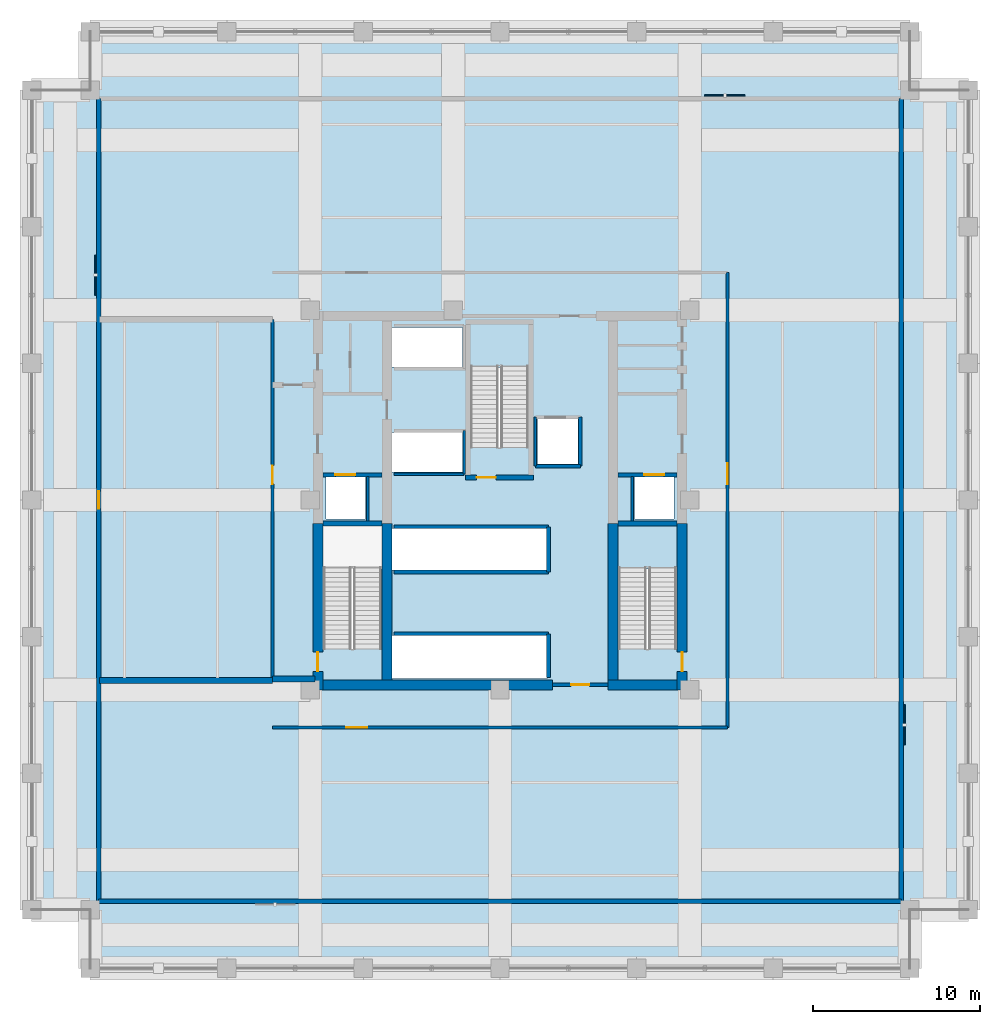
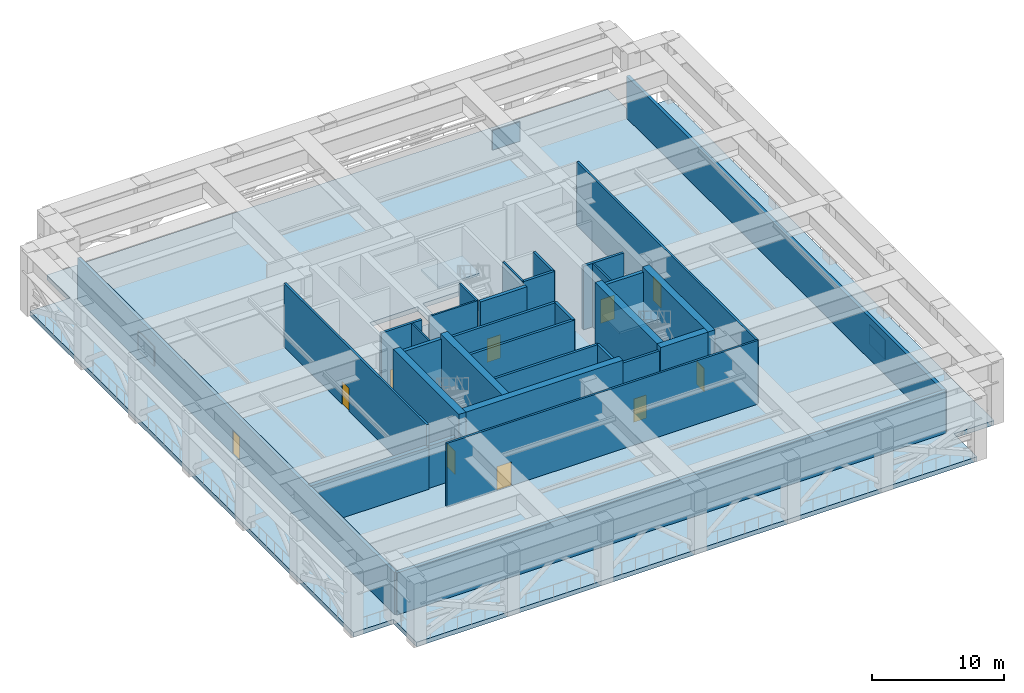
# One storey, part 3 of 12: 32 walls, 10 doors, 3 plates, 3 slabs, 10 openings, 2 elements without a shape of their own.
"""IFC4 building model written with IfcOpenShell, lengths in metres."""

from ifc_helpers import new_model, si_unit, direction, frame, frame_2d, origin, origin_2d, place, context, subcontext, project, spatial, polyline, rectangle, outline, extrude, material, layer, layer_set, type_object, element, fill, aggregate, save


model = new_model("IFC4")

# Units and contexts
model_context = context("Model", 3, precision=1e-05, world=origin(), true_north=direction((0.0, 1.0)))
body_context = subcontext(model_context, "Body", "Model", "MODEL_VIEW")
ifc_project = project(units=[si_unit("LENGTHUNIT", "METRE"), si_unit("AREAUNIT", "SQUARE_METRE"), si_unit("VOLUMEUNIT", "CUBIC_METRE"), si_unit("PLANEANGLEUNIT", "RADIAN"), si_unit("MASSUNIT", "GRAM", prefix="KILO")], contexts=[model_context])

# Site, building, storey
site_placement = place(None, origin())
site = spatial("IfcSite", under=ifc_project, at=site_placement, CompositionType="ELEMENT")
building_placement = place(site_placement, origin())
building = spatial("IfcBuilding", under=site, at=building_placement, Name="Nhamokura Convention Tower", CompositionType="ELEMENT")
storey_placement = place(building_placement, frame((0.0, 0.0, 99.75)))
storey = spatial("IfcBuildingStorey", under=building, at=storey_placement, Name="L24", CompositionType="ELEMENT", Elevation=99.75)

# Plates
ifc_material_1 = material(Name="Anodised bronze aluminium AA6063-T6", Category="aluminium")
ifc_layer_1 = layer(ifc_material_1, 0.0849609375)
ifc_layer_set_1 = layer_set([ifc_layer_1], Name="AcousticLouvrePlate_1")
plate_type = type_object("IfcPlateType", Name="AcousticLouvrePlate_1", PredefinedType="USERDEFINED", material=ifc_layer_set_1)
for number, where, z_axis, x_axis, name in (
    (1, (56.1826171875, 18.56005859375, 1.0), (0.0, 0.0, 1.0), (0.0, -1.0, 0.0), "L24 Plant Acoustic Louvre E"),
    (2, (45.43994140625, 56.1826171875, 1.0), (0.0, 0.0, 1.0), (1.0, 0.0, 0.0), "L24 Plant Acoustic Louvre N"),
    (3, (7.8173828125, 45.43994140625, 1.0), (0.0, 0.0, 1.0), (0.0, 1.0, 0.0), "L24 Plant Acoustic Louvre W"),
):
    element("IfcPlate", number, at=place(storey_placement, frame(where, z_axis=z_axis, x_axis=x_axis)), inside=storey, type_object=plate_type, Name=name, ObjectType="ACOUSTIC_LOUVRE", PredefinedType="USERDEFINED", context=body_context, shape_type="SweptSolid", body=[
        extrude(rectangle(XDim=2.39990234375, YDim=0.0849609375, at=origin_2d()), origin(), (0.0, 0.0, 1.0), 1.800048828125),
    ])

# Stair, slab
ifc_material_2 = material(Name="Concrete C40/50", Category="concrete")
stair_type = type_object("IfcStairType", Name="TowerCoreStair_1650", PredefinedType="HALF_TURN_STAIR", material=ifc_material_2)
stair_1_placement = place(storey_placement, origin())
stair_1 = element("IfcStair", 4, at=stair_1_placement, inside=storey, type_object=stair_type, Name="L24 East Core Smokeproof Stair ST-02", PredefinedType="HALF_TURN_STAIR")
ifc_material_3 = material(Name="Concrete C40/50", Category="concrete")
ifc_layer_2 = layer(ifc_material_3, 0.199951171875)
ifc_layer_set_2 = layer_set([ifc_layer_2], Name="StairLandingSlab_200")
slab_type_1 = type_object("IfcSlabType", Name="StairLandingSlab_200", PredefinedType="LANDING", material=ifc_layer_set_2)
slab_1_placement = place(storey_placement, frame((0.0, 0.0, 2.949951171875)))
slab_1 = element("IfcSlab", 5, at=slab_1_placement, type_object=slab_type_1, Name="ST-02 landing 1", PredefinedType="LANDING", context=body_context, shape_type="SweptSolid", body=[
    extrude(outline(polyline([(42.6298828125, 27.864990234375), (42.6298828125, 30.530029296875), (39.02001953125, 30.530029296875), (39.02001953125, 27.864990234375), (42.6298828125, 27.864990234375)])), origin(), (0.0, 0.0, 1.0), 0.199951171875),
])
aggregate(stair_1, [slab_1])

stair_2_placement = place(storey_placement, origin())
stair_2 = element("IfcStair", 6, at=stair_2_placement, inside=storey, type_object=stair_type, Name="L24 North Core Smokeproof Stair ST-03", PredefinedType="HALF_TURN_STAIR")
slab_2_placement = place(storey_placement, frame((0.0, 0.0, 2.949951171875)))
slab_2 = element("IfcSlab", 7, at=slab_2_placement, type_object=slab_type_1, Name="ST-03 landing 1", PredefinedType="LANDING", context=body_context, shape_type="SweptSolid", body=[
    extrude(outline(polyline([(33.780029296875, 39.9150390625), (33.780029296875, 42.580078125), (30.169921875, 42.580078125), (30.169921875, 39.9150390625), (33.780029296875, 39.9150390625)])), origin(), (0.0, 0.0, 1.0), 0.199951171875),
])
aggregate(stair_2, [slab_2])

# Slab
ifc_material_4 = material(Name="Concrete C50/60", Category="concrete")
ifc_layer_3 = layer(ifc_material_4, 0.419921875)
ifc_layer_set_3 = layer_set([ifc_layer_3], Name="TransferDeckSlab_380")
slab_type_2 = type_object("IfcSlabType", Name="TransferDeckSlab_380", PredefinedType="FLOOR", material=ifc_layer_set_3)
slab_3_placement = place(storey_placement, frame((0.0, 0.0, -0.419921875)))
element("IfcSlab", 8, at=slab_3_placement, inside=storey, type_object=slab_type_2, Name="L24 Structural Floor Slab", PredefinedType="FLOOR", context=body_context, shape_type="SweptSolid", body=[
    extrude(outline(polyline([(7.5, 4.0), (56.5, 4.0), (56.5, 7.5), (60.0, 7.5), (60.0, 56.5), (56.5, 56.5), (56.5, 60.0), (7.5, 60.0), (7.5, 56.5), (4.0, 56.5), (4.0, 7.5), (7.5, 7.5), (7.5, 4.0)]), holes=[polyline([(24.89990234375, 23.10009765625), (24.89990234375, 30.449951171875), (21.449951171875, 30.449951171875), (21.449951171875, 23.10009765625), (24.89990234375, 23.10009765625)]), polyline([(42.550048828125, 23.10009765625), (42.550048828125, 30.449951171875), (39.10009765625, 30.449951171875), (39.10009765625, 23.10009765625), (42.550048828125, 23.10009765625)]), polyline([(33.699951171875, 35.14990234375), (33.699951171875, 42.5), (30.25, 42.5), (30.25, 35.14990234375), (33.699951171875, 35.14990234375)]), polyline([(21.60009765625, 30.85009765625), (23.949951171875, 30.85009765625), (23.949951171875, 33.39990234375), (21.60009765625, 33.39990234375), (21.60009765625, 30.85009765625)]), polyline([(40.050048828125, 30.85009765625), (42.39990234375, 30.85009765625), (42.39990234375, 33.39990234375), (40.050048828125, 33.39990234375), (40.050048828125, 30.85009765625)]), polyline([(34.25, 34.14990234375), (36.64990234375, 34.14990234375), (36.64990234375, 36.85009765625), (34.25, 36.85009765625), (34.25, 34.14990234375)]), polyline([(25.52001953125, 21.320068359375), (34.800048828125, 21.320068359375), (34.800048828125, 23.89990234375), (25.52001953125, 23.89990234375), (25.52001953125, 21.320068359375)]), polyline([(25.52001953125, 27.800048828125), (34.800048828125, 27.800048828125), (34.800048828125, 30.300048828125), (25.52001953125, 30.300048828125), (25.52001953125, 27.800048828125)]), polyline([(25.52001953125, 33.679931640625), (29.75, 33.679931640625), (29.75, 36.050048828125), (25.52001953125, 36.050048828125), (25.52001953125, 33.679931640625)]), polyline([(25.52001953125, 39.949951171875), (29.75, 39.949951171875), (29.75, 42.320068359375), (25.52001953125, 42.320068359375), (25.52001953125, 39.949951171875)])]), origin(), (0.0, 0.0, 1.0), 0.419921875),
])

# Walls
ifc_material_5 = material(Name="Bronze-pigmented precast concrete C45/55", Category="concrete")
ifc_layer_4 = layer(ifc_material_5, 0.280029296875)
ifc_layer_set_4 = layer_set([ifc_layer_4], Name="BronzePrecastSpandrel_280")
wall_type_1 = type_object("IfcWallType", Name="BronzePrecastSpandrel_280", PredefinedType="USERDEFINED", material=ifc_layer_set_4)
for number, where, z_axis, x_axis, name in (
    (9, (56.0, 8.0, 0.0), (0.0, 0.0, 1.0), (-1.0, 0.0, 0.0), "L24 Refuge Deck Enclosure Wall S"),
    (10, (56.0, 56.0, 0.0), (0.0, 0.0, 1.0), (0.0, -1.0, 0.0), "L24 Refuge Deck Enclosure Wall E"),
):
    element("IfcWall", number, at=place(storey_placement, frame(where, z_axis=z_axis, x_axis=x_axis)), inside=storey, type_object=wall_type_1, Name=name, ObjectType="SPANDREL_WALL", PredefinedType="USERDEFINED", context=body_context, shape_type="SweptSolid", body=[
        extrude(rectangle(XDim=48.0, YDim=0.280029296875, at=frame_2d((24.0, 0.0))), origin(), (0.0, 0.0, 1.0), 3.8798828125),
    ])

# Wall, opening, door
wall_1_placement = place(storey_placement, frame((8.0, 8.0, 0.0), z_axis=(0.0, 0.0, 1.0), x_axis=(0.0, 1.0, 0.0)))
wall_1 = element("IfcWall", 11, at=wall_1_placement, inside=storey, type_object=wall_type_1, Name="L24 Refuge Deck Enclosure Wall W", ObjectType="SPANDREL_WALL", PredefinedType="USERDEFINED", context=body_context, shape_type="SweptSolid", body=[
    extrude(rectangle(XDim=48.0, YDim=0.280029296875, at=frame_2d((24.0, 0.0))), origin(), (0.0, 0.0, 1.0), 3.8798828125),
])
opening_1_placement = place(wall_1_placement, frame((23.47509765625, 0.0, 0.0)))
opening_1 = element("IfcOpeningElement", 12, at=opening_1_placement, cuts=wall_1, Name="Opening D-06", PredefinedType="OPENING", context=body_context, shape_type="SweptSolid", body=[
    extrude(rectangle(XDim=1.050048828125, YDim=2.199951171875, at=frame_2d((0.52490234375, 1.10009765625))), frame((0.0, 0.14990234375, 0.0), z_axis=(0.0, -1.0, 0.0), x_axis=(1.0, 0.0, 0.0)), (0.0, 0.0, 1.0), 0.300048828125),
])
ifc_material_6 = material(Name="Anodised bronze aluminium AA6063-T6", Category="aluminium")
door_type_1 = type_object("IfcDoorType", Name="TerraceAccessDoor_1050", OperationType="NOTDEFINED", PredefinedType="DOOR", material=ifc_material_6)
door_1_placement = place(opening_1_placement, origin())
door_1 = element("IfcDoor", 13, at=door_1_placement, inside=storey, type_object=door_type_1, Name="L24 Refuge Deck Access Door W", OperationType="SINGLE_SWING_RIGHT", OverallHeight=2.199951171875, OverallWidth=1.050048828125, PredefinedType="DOOR", context=body_context, shape_type="SweptSolid", body=[
    extrude(rectangle(XDim=1.050048828125, YDim=2.199951171875, at=frame_2d((0.52490234375, 1.10009765625))), frame((0.0, 0.02490234375, 0.0), z_axis=(0.0, -1.0, 0.0), x_axis=(1.0, 0.0, 0.0)), (0.0, 0.0, 1.0), 0.050048828125),
])
fill(opening_1, door_1)

ifc_material_7 = material(Name="Concrete C60/75", Category="concrete")
ifc_layer_5 = layer(ifc_material_7, 0.60009765625)
ifc_layer_set_5 = layer_set([ifc_layer_5], Name="CoreShearWall_600")
wall_type_2 = type_object("IfcWallType", Name="CoreShearWall_600", PredefinedType="SHEAR", material=ifc_layer_set_5)
wall_2_placement = place(storey_placement, frame((21.110107421875, 20.64990234375, 0.0), z_axis=(0.0, 0.0, 1.0), x_axis=(0.0, 1.0, 0.0)))
wall_2 = element("IfcWall", 14, at=wall_2_placement, inside=storey, type_object=wall_type_2, Name="L24 Core Shear Wall CW-WS", PredefinedType="SHEAR", context=body_context, shape_type="SweptSolid", body=[
    extrude(rectangle(XDim=9.9501953125, YDim=0.60009765625, at=frame_2d((4.97509765625, 0.0))), origin(), (0.0, 0.0, 1.0), 6.300048828125),
])
opening_2_placement = place(wall_2_placement, frame((1.10009765625, 0.0, 0.0)))
opening_2 = element("IfcOpeningElement", 15, at=opening_2_placement, cuts=wall_2, Name="Opening D-04", PredefinedType="OPENING", context=body_context, shape_type="SweptSolid", body=[
    extrude(rectangle(XDim=1.14990234375, YDim=2.14990234375, at=frame_2d((0.574951171875, 1.074951171875))), frame((0.0, 0.31005859375, 0.0), z_axis=(0.0, -1.0, 0.0), x_axis=(1.0, 0.0, 0.0)), (0.0, 0.0, 1.0), 0.6201171875),
])
ifc_material_8 = material(Name="Fire-rated steel door", Category="steel")
door_type_2 = type_object("IfcDoorType", Name="StairSmokeDoor_1150", OperationType="NOTDEFINED", PredefinedType="DOOR", material=ifc_material_8)
door_2_placement = place(opening_2_placement, origin())
door_2 = element("IfcDoor", 16, at=door_2_placement, inside=storey, type_object=door_type_2, Name="L24 Core Door INT-L24-D-ST01", OperationType="SINGLE_SWING_LEFT", OverallHeight=2.14990234375, OverallWidth=1.14990234375, PredefinedType="DOOR", context=body_context, shape_type="SweptSolid", body=[
    extrude(rectangle(XDim=1.14990234375, YDim=2.14990234375, at=frame_2d((0.574951171875, 1.074951171875))), frame((0.0, 0.02490234375, 0.0), z_axis=(0.0, -1.0, 0.0), x_axis=(1.0, 0.0, 0.0)), (0.0, 0.0, 1.0), 0.050048828125),
])
fill(opening_2, door_2)

wall_3_placement = place(storey_placement, frame((42.889892578125, 20.64990234375, 0.0), z_axis=(0.0, 0.0, 1.0), x_axis=(0.0, 1.0, 0.0)))
wall_3 = element("IfcWall", 17, at=wall_3_placement, inside=storey, type_object=wall_type_2, Name="L24 Core Shear Wall CW-ES", PredefinedType="SHEAR", context=body_context, shape_type="SweptSolid", body=[
    extrude(rectangle(XDim=9.9501953125, YDim=0.60009765625, at=frame_2d((4.97509765625, 0.0))), origin(), (0.0, 0.0, 1.0), 6.300048828125),
])
opening_3_placement = place(wall_3_placement, frame((1.10009765625, 0.0, 0.0)))
opening_3 = element("IfcOpeningElement", 18, at=opening_3_placement, cuts=wall_3, Name="Opening D-04", PredefinedType="OPENING", context=body_context, shape_type="SweptSolid", body=[
    extrude(rectangle(XDim=1.14990234375, YDim=2.14990234375, at=frame_2d((0.574951171875, 1.074951171875))), frame((0.0, 0.31005859375, 0.0), z_axis=(0.0, -1.0, 0.0), x_axis=(1.0, 0.0, 0.0)), (0.0, 0.0, 1.0), 0.6201171875),
])
door_3_placement = place(opening_3_placement, origin())
door_3 = element("IfcDoor", 19, at=door_3_placement, inside=storey, type_object=door_type_2, Name="L24 Core Door INT-L24-D-ST02", OperationType="SINGLE_SWING_RIGHT", OverallHeight=2.14990234375, OverallWidth=1.14990234375, PredefinedType="DOOR", context=body_context, shape_type="SweptSolid", body=[
    extrude(rectangle(XDim=1.14990234375, YDim=2.14990234375, at=frame_2d((0.574951171875, 1.074951171875))), frame((0.0, 0.02490234375, 0.0), z_axis=(0.0, -1.0, 0.0), x_axis=(1.0, 0.0, 0.0)), (0.0, 0.0, 1.0), 0.050048828125),
])
fill(opening_3, door_3)

# Walls
wall_4_placement = place(storey_placement, frame((21.409912109375, 20.949951171875, 0.0), z_axis=(0.0, 0.0, 1.0), x_axis=(1.0, 0.0, 0.0)))
element("IfcWall", 20, at=wall_4_placement, inside=storey, type_object=wall_type_2, Name="L24 Core Shear Wall CW-S1", PredefinedType="SHEAR", context=body_context, shape_type="SweptSolid", body=[
    extrude(rectangle(XDim=13.739990234375, YDim=0.60009765625, at=frame_2d((6.8701171875, 0.0))), origin(), (0.0, 0.0, 1.0), 6.300048828125),
])
wall_5_placement = place(storey_placement, frame((38.449951171875, 20.949951171875, 0.0), z_axis=(0.0, 0.0, 1.0), x_axis=(1.0, 0.0, 0.0)))
element("IfcWall", 21, at=wall_5_placement, inside=storey, type_object=wall_type_2, Name="L24 Core Shear Wall CW-S2", PredefinedType="SHEAR", context=body_context, shape_type="SweptSolid", body=[
    extrude(rectangle(XDim=4.14013671875, YDim=0.60009765625, at=frame_2d((2.070068359375, 0.0))), origin(), (0.0, 0.0, 1.0), 6.300048828125),
])
for number, where, z_axis, x_axis, name in (
    (22, (25.239990234375, 21.25, 0.0), (0.0, 0.0, 1.0), (0.0, 1.0, 0.0), "L24 Core Shear Wall CW-IWS"),
    (23, (38.760009765625, 21.25, 0.0), (0.0, 0.0, 1.0), (0.0, 1.0, 0.0), "L24 Core Shear Wall CW-IES"),
):
    element("IfcWall", number, at=place(storey_placement, frame(where, z_axis=z_axis, x_axis=x_axis)), inside=storey, type_object=wall_type_2, Name=name, PredefinedType="SHEAR", context=body_context, shape_type="SweptSolid", body=[
        extrude(rectangle(XDim=9.35009765625, YDim=0.60009765625, at=frame_2d((4.675048828125, 0.0))), origin(), (0.0, 0.0, 1.0), 6.300048828125),
    ])

# Wall, opening, door
ifc_material_9 = material(Name="Fire-rated gypsum and masonry partition", Category="masonry")
ifc_layer_6 = layer(ifc_material_9, 0.179931640625)
ifc_layer_set_6 = layer_set([ifc_layer_6], Name="CorridorRatedWall_180")
wall_type_3 = type_object("IfcWallType", Name="CorridorRatedWall_180", PredefinedType="STANDARD", material=ifc_layer_set_6)
wall_6_placement = place(storey_placement, frame((18.39990234375, 18.39990234375, 0.0), z_axis=(0.0, 0.0, 1.0), x_axis=(1.0, 0.0, 0.0)))
wall_6 = element("IfcWall", 24, at=wall_6_placement, inside=storey, type_object=wall_type_3, Name="L24 Wall INT-L24-CW-S00", PredefinedType="STANDARD", context=body_context, shape_type="SweptSolid", body=[
    extrude(rectangle(XDim=27.2001953125, YDim=0.179931640625, at=frame_2d((13.60009765625, 0.0))), origin(), (0.0, 0.0, 1.0), 5.8798828125),
])
opening_4_placement = place(wall_6_placement, frame((4.39990234375, 0.0, 0.0)))
opening_4 = element("IfcOpeningElement", 25, at=opening_4_placement, cuts=wall_6, Name="Opening D-12", PredefinedType="OPENING", context=body_context, shape_type="SweptSolid", body=[
    extrude(rectangle(XDim=1.25, YDim=2.199951171875, at=frame_2d((0.625, 1.10009765625))), frame((0.0, 0.099853515625, 0.0), z_axis=(0.0, -1.0, 0.0), x_axis=(1.0, 0.0, 0.0)), (0.0, 0.0, 1.0), 0.199951171875),
])
ifc_material_10 = material(Name="Fire-rated steel door", Category="steel")
door_type_3 = type_object("IfcDoorType", Name="PlantServiceDoor_1250", OperationType="NOTDEFINED", PredefinedType="DOOR", material=ifc_material_10)
door_4_placement = place(opening_4_placement, origin())
door_4 = element("IfcDoor", 26, at=door_4_placement, inside=storey, type_object=door_type_3, Name="L24 Smoke Pressurisation Plant S01 Door", OperationType="SINGLE_SWING_LEFT", OverallHeight=2.199951171875, OverallWidth=1.25, PredefinedType="DOOR", context=body_context, shape_type="SweptSolid", body=[
    extrude(rectangle(XDim=1.25, YDim=2.199951171875, at=frame_2d((0.625, 1.10009765625))), frame((0.0, 0.02490234375, 0.0), z_axis=(0.0, -1.0, 0.0), x_axis=(1.0, 0.0, 0.0)), (0.0, 0.0, 1.0), 0.050048828125),
])
fill(opening_4, door_4)

wall_7_placement = place(storey_placement, frame((18.39990234375, 21.199951171875, 0.0), z_axis=(0.0, 0.0, 1.0), x_axis=(0.0, 1.0, 0.0)))
wall_7 = element("IfcWall", 27, at=wall_7_placement, inside=storey, type_object=wall_type_3, Name="L24 Wall INT-L24-CW-W00", PredefinedType="STANDARD", context=body_context, shape_type="SweptSolid", body=[
    extrude(rectangle(XDim=21.60009765625, YDim=0.179931640625, at=frame_2d((10.800048828125, 0.0))), origin(), (0.0, 0.0, 1.0), 5.8798828125),
])
opening_5_placement = place(wall_7_placement, frame((11.75, 0.0, 0.0)))
opening_5 = element("IfcOpeningElement", 28, at=opening_5_placement, cuts=wall_7, Name="Opening D-05", PredefinedType="OPENING", context=body_context, shape_type="SweptSolid", body=[
    extrude(rectangle(XDim=1.10009765625, YDim=2.14990234375, at=frame_2d((0.550048828125, 1.074951171875))), frame((0.0, 0.099853515625, 0.0), z_axis=(0.0, -1.0, 0.0), x_axis=(1.0, 0.0, 0.0)), (0.0, 0.0, 1.0), 0.199951171875),
])
ifc_material_11 = material(Name="Fire-rated steel door", Category="steel")
door_type_4 = type_object("IfcDoorType", Name="FireLobbyDoor_1100", OperationType="NOTDEFINED", PredefinedType="DOOR", material=ifc_material_11)
door_5_placement = place(opening_5_placement, origin())
door_5 = element("IfcDoor", 29, at=door_5_placement, inside=storey, type_object=door_type_4, Name="L24 Designated Fire Refuge Area W01 Door", OperationType="SINGLE_SWING_LEFT", OverallHeight=2.14990234375, OverallWidth=1.10009765625, PredefinedType="DOOR", context=body_context, shape_type="SweptSolid", body=[
    extrude(rectangle(XDim=1.10009765625, YDim=2.14990234375, at=frame_2d((0.550048828125, 1.074951171875))), frame((0.0, 0.02490234375, 0.0), z_axis=(0.0, -1.0, 0.0), x_axis=(1.0, 0.0, 0.0)), (0.0, 0.0, 1.0), 0.050048828125),
])
fill(opening_5, door_5)

wall_8_placement = place(storey_placement, frame((45.60009765625, 18.39990234375, 0.0), z_axis=(0.0, 0.0, 1.0), x_axis=(0.0, 1.0, 0.0)))
wall_8 = element("IfcWall", 30, at=wall_8_placement, inside=storey, type_object=wall_type_3, Name="L24 Wall INT-L24-CW-E00", PredefinedType="STANDARD", context=body_context, shape_type="SweptSolid", body=[
    extrude(rectangle(XDim=27.2001953125, YDim=0.179931640625, at=frame_2d((13.60009765625, 0.0))), origin(), (0.0, 0.0, 1.0), 5.8798828125),
])
opening_6_placement = place(wall_8_placement, frame((14.550048828125, 0.0, 0.0)))
opening_6 = element("IfcOpeningElement", 31, at=opening_6_placement, cuts=wall_8, Name="Opening D-12", PredefinedType="OPENING", context=body_context, shape_type="SweptSolid", body=[
    extrude(rectangle(XDim=1.25, YDim=2.199951171875, at=frame_2d((0.625, 1.10009765625))), frame((0.0, 0.099853515625, 0.0), z_axis=(0.0, -1.0, 0.0), x_axis=(1.0, 0.0, 0.0)), (0.0, 0.0, 1.0), 0.199951171875),
])
door_6_placement = place(opening_6_placement, origin())
door_6 = element("IfcDoor", 32, at=door_6_placement, inside=storey, type_object=door_type_3, Name="L24 Chilled-Water Heat Exchanger Plant E01 Door", OperationType="SINGLE_SWING_LEFT", OverallHeight=2.199951171875, OverallWidth=1.25, PredefinedType="DOOR", context=body_context, shape_type="SweptSolid", body=[
    extrude(rectangle(XDim=1.25, YDim=2.199951171875, at=frame_2d((0.625, 1.10009765625))), frame((0.0, 0.02490234375, 0.0), z_axis=(0.0, -1.0, 0.0), x_axis=(1.0, 0.0, 0.0)), (0.0, 0.0, 1.0), 0.050048828125),
])
fill(opening_6, door_6)

ifc_material_12 = material(Name="Autoclaved concrete blockwork", Category="masonry")
ifc_layer_7 = layer(ifc_material_12, 0.219970703125)
ifc_layer_set_7 = layer_set([ifc_layer_7], Name="FireLobbyWall_220")
wall_type_4 = type_object("IfcWallType", Name="FireLobbyWall_220", PredefinedType="STANDARD", material=ifc_layer_set_7)
wall_9_placement = place(storey_placement, frame((21.409912109375, 33.5, 0.0), z_axis=(0.0, 0.0, 1.0), x_axis=(1.0, 0.0, 0.0)))
wall_9 = element("IfcWall", 33, at=wall_9_placement, inside=storey, type_object=wall_type_4, Name="L24 Wall INT-L24-FFW-S", PredefinedType="STANDARD", context=body_context, shape_type="SweptSolid", body=[
    extrude(rectangle(XDim=3.530029296875, YDim=0.219970703125, at=frame_2d((1.76513671875, 0.0))), origin(), (0.0, 0.0, 1.0), 5.8798828125),
])
opening_7_placement = place(wall_9_placement, frame((0.75, 0.0, 0.0)))
opening_7 = element("IfcOpeningElement", 34, at=opening_7_placement, cuts=wall_9, Name="Opening LD-02", PredefinedType="OPENING", context=body_context, shape_type="SweptSolid", body=[
    extrude(rectangle(XDim=1.199951171875, YDim=2.199951171875, at=frame_2d((0.60009765625, 1.10009765625))), frame((0.0, 0.119873046875, 0.0), z_axis=(0.0, -1.0, 0.0), x_axis=(1.0, 0.0, 0.0)), (0.0, 0.0, 1.0), 0.239990234375),
])
ifc_material_13 = material(Name="Anodised bronze stainless steel", Category="steel")
door_type_5 = type_object("IfcDoorType", Name="LiftLandingDoor_FireService", OperationType="DOUBLE_DOOR_SLIDING", PredefinedType="DOOR", material=ifc_material_13)
door_7_placement = place(opening_7_placement, origin())
door_7 = element("IfcDoor", 35, at=door_7_placement, inside=storey, type_object=door_type_5, Name="L24 Firefighting Lift LF-01 Door", OperationType="DOUBLE_DOOR_SLIDING", OverallHeight=2.199951171875, OverallWidth=1.199951171875, PredefinedType="DOOR", context=body_context, shape_type="SweptSolid", body=[
    extrude(rectangle(XDim=1.199951171875, YDim=2.199951171875, at=frame_2d((0.60009765625, 1.10009765625))), frame((0.0, 0.02490234375, 0.0), z_axis=(0.0, -1.0, 0.0), x_axis=(1.0, 0.0, 0.0)), (0.0, 0.0, 1.0), 0.050048828125),
])
fill(opening_7, door_7)

wall_10_placement = place(storey_placement, frame((39.06005859375, 33.5, 0.0), z_axis=(0.0, 0.0, 1.0), x_axis=(1.0, 0.0, 0.0)))
wall_10 = element("IfcWall", 36, at=wall_10_placement, inside=storey, type_object=wall_type_4, Name="L24 Wall INT-L24-FFE-S", PredefinedType="STANDARD", context=body_context, shape_type="SweptSolid", body=[
    extrude(rectangle(XDim=3.530029296875, YDim=0.219970703125, at=frame_2d((1.76513671875, 0.0))), origin(), (0.0, 0.0, 1.0), 5.8798828125),
])
opening_8_placement = place(wall_10_placement, frame((1.550048828125, 0.0, 0.0)))
opening_8 = element("IfcOpeningElement", 37, at=opening_8_placement, cuts=wall_10, Name="Opening LD-02", PredefinedType="OPENING", context=body_context, shape_type="SweptSolid", body=[
    extrude(rectangle(XDim=1.199951171875, YDim=2.199951171875, at=frame_2d((0.60009765625, 1.10009765625))), frame((0.0, 0.119873046875, 0.0), z_axis=(0.0, -1.0, 0.0), x_axis=(1.0, 0.0, 0.0)), (0.0, 0.0, 1.0), 0.239990234375),
])
door_8_placement = place(opening_8_placement, origin())
door_8 = element("IfcDoor", 38, at=door_8_placement, inside=storey, type_object=door_type_5, Name="L24 Firefighting Lift LF-02 Door", OperationType="DOUBLE_DOOR_SLIDING", OverallHeight=2.199951171875, OverallWidth=1.199951171875, PredefinedType="DOOR", context=body_context, shape_type="SweptSolid", body=[
    extrude(rectangle(XDim=1.199951171875, YDim=2.199951171875, at=frame_2d((0.60009765625, 1.10009765625))), frame((0.0, 0.02490234375, 0.0), z_axis=(0.0, -1.0, 0.0), x_axis=(1.0, 0.0, 0.0)), (0.0, 0.0, 1.0), 0.050048828125),
])
fill(opening_8, door_8)

wall_11_placement = place(storey_placement, frame((35.14990234375, 20.949951171875, 0.0), z_axis=(0.0, 0.0, 1.0), x_axis=(1.0, 0.0, 0.0)))
wall_11 = element("IfcWall", 39, at=wall_11_placement, inside=storey, type_object=wall_type_4, Name="L24 Wall INT-L24-SPORT-S", PredefinedType="STANDARD", context=body_context, shape_type="SweptSolid", body=[
    extrude(rectangle(XDim=3.300048828125, YDim=0.219970703125, at=frame_2d((1.64990234375, 0.0))), origin(), (0.0, 0.0, 1.0), 5.8798828125),
])
opening_9_placement = place(wall_11_placement, frame((1.10009765625, 0.0, 0.0)))
opening_9 = element("IfcOpeningElement", 40, at=opening_9_placement, cuts=wall_11, Name="Opening D-05", PredefinedType="OPENING", context=body_context, shape_type="SweptSolid", body=[
    extrude(rectangle(XDim=1.10009765625, YDim=2.14990234375, at=frame_2d((0.550048828125, 1.074951171875))), frame((0.0, 0.119873046875, 0.0), z_axis=(0.0, -1.0, 0.0), x_axis=(1.0, 0.0, 0.0)), (0.0, 0.0, 1.0), 0.239990234375),
])
door_9_placement = place(opening_9_placement, origin())
door_9 = element("IfcDoor", 41, at=door_9_placement, inside=storey, type_object=door_type_4, Name="L24 South Core Lobby Portal Door", OperationType="SINGLE_SWING_LEFT", OverallHeight=2.14990234375, OverallWidth=1.10009765625, PredefinedType="DOOR", context=body_context, shape_type="SweptSolid", body=[
    extrude(rectangle(XDim=1.10009765625, YDim=2.14990234375, at=frame_2d((0.550048828125, 1.074951171875))), frame((0.0, 0.02490234375, 0.0), z_axis=(0.0, -1.0, 0.0), x_axis=(1.0, 0.0, 0.0)), (0.0, 0.0, 1.0), 0.050048828125),
])
fill(opening_9, door_9)

# Walls
wall_12_placement = place(storey_placement, frame((25.64990234375, 24.0, 0.0), z_axis=(0.0, 0.0, 1.0), x_axis=(1.0, 0.0, 0.0)))
element("IfcWall", 42, at=wall_12_placement, inside=storey, type_object=wall_type_4, Name="L24 Wall INT-L24-B1N", PredefinedType="STANDARD", context=body_context, shape_type="SweptSolid", body=[
    extrude(rectangle(XDim=9.25, YDim=0.219970703125, at=frame_2d((4.625, 0.0))), origin(), (0.0, 0.0, 1.0), 5.8798828125),
])
wall_13_placement = place(storey_placement, frame((34.89990234375, 21.39990234375, 0.0), z_axis=(0.0, 0.0, 1.0), x_axis=(0.0, 1.0, 0.0)))
element("IfcWall", 43, at=wall_13_placement, inside=storey, type_object=wall_type_4, Name="L24 Wall INT-L24-B1E", PredefinedType="STANDARD", context=body_context, shape_type="SweptSolid", body=[
    extrude(rectangle(XDim=2.60009765625, YDim=0.219970703125, at=frame_2d((1.300048828125, 0.0))), origin(), (0.0, 0.0, 1.0), 5.8798828125),
])
for number, where, z_axis, x_axis, name in (
    (44, (25.64990234375, 27.699951171875, 0.0), (0.0, 0.0, 1.0), (1.0, 0.0, 0.0), "L24 Wall INT-L24-B2S"),
    (45, (25.64990234375, 30.39990234375, 0.0), (0.0, 0.0, 1.0), (1.0, 0.0, 0.0), "L24 Wall INT-L24-B2N"),
):
    element("IfcWall", number, at=place(storey_placement, frame(where, z_axis=z_axis, x_axis=x_axis)), inside=storey, type_object=wall_type_4, Name=name, PredefinedType="STANDARD", context=body_context, shape_type="SweptSolid", body=[
        extrude(rectangle(XDim=9.25, YDim=0.219970703125, at=frame_2d((4.625, 0.0))), origin(), (0.0, 0.0, 1.0), 5.8798828125),
    ])
wall_14_placement = place(storey_placement, frame((34.89990234375, 27.699951171875, 0.0), z_axis=(0.0, 0.0, 1.0), x_axis=(0.0, 1.0, 0.0)))
element("IfcWall", 46, at=wall_14_placement, inside=storey, type_object=wall_type_4, Name="L24 Wall INT-L24-B2E", PredefinedType="STANDARD", context=body_context, shape_type="SweptSolid", body=[
    extrude(rectangle(XDim=2.699951171875, YDim=0.219970703125, at=frame_2d((1.35009765625, 0.0))), origin(), (0.0, 0.0, 1.0), 5.8798828125),
])
wall_15_placement = place(storey_placement, frame((36.800048828125, 34.02001953125, 0.0), z_axis=(0.0, 0.0, 1.0), x_axis=(0.0, 1.0, 0.0)))
element("IfcWall", 47, at=wall_15_placement, inside=storey, type_object=wall_type_4, Name="L24 Wall INT-L24-LSE", PredefinedType="STANDARD", context=body_context, shape_type="SweptSolid", body=[
    extrude(rectangle(XDim=2.929931640625, YDim=0.219970703125, at=frame_2d((1.46484375, 0.0))), origin(), (0.0, 0.0, 1.0), 5.8798828125),
])
wall_16_placement = place(storey_placement, frame((34.1201171875, 34.02001953125, 0.0), z_axis=(0.0, 0.0, 1.0), x_axis=(1.0, 0.0, 0.0)))
element("IfcWall", 48, at=wall_16_placement, inside=storey, type_object=wall_type_4, Name="L24 Wall INT-L24-LSS", PredefinedType="STANDARD", context=body_context, shape_type="SweptSolid", body=[
    extrude(rectangle(XDim=2.679931640625, YDim=0.219970703125, at=frame_2d((1.33984375, 0.0))), origin(), (0.0, 0.0, 1.0), 5.8798828125),
])
ifc_material_14 = material(Name="Concrete C50/60", Category="concrete")
ifc_layer_8 = layer(ifc_material_14, 0.35009765625)
ifc_layer_set_8 = layer_set([ifc_layer_8], Name="FirewallPlant_350")
wall_type_5 = type_object("IfcWallType", Name="FirewallPlant_350", PredefinedType="STANDARD", material=ifc_layer_set_8)
wall_17_placement = place(storey_placement, frame((18.39990234375, 21.300048828125, 0.0), z_axis=(0.0, 0.0, 1.0), x_axis=(1.0, 0.0, 0.0)))
element("IfcWall", 49, at=wall_17_placement, inside=storey, type_object=wall_type_5, Name="L24 Wall INT-L24-RLOB-S", PredefinedType="STANDARD", context=body_context, shape_type="SweptSolid", body=[
    extrude(rectangle(XDim=2.550048828125, YDim=0.35009765625, at=frame_2d((1.27490234375, 0.0))), origin(), (0.0, 0.0, 1.0), 3.907958984375),
])
wall_18_placement = place(storey_placement, frame((8.050048828125, 21.199951171875, 0.0), z_axis=(0.0, 0.0, 1.0), x_axis=(1.0, 0.0, 0.0)))
element("IfcWall", 50, at=wall_18_placement, inside=storey, type_object=wall_type_5, Name="L24 Wall INT-L24-RWB-W", PredefinedType="STANDARD", context=body_context, shape_type="SweptSolid", body=[
    extrude(rectangle(XDim=10.349853515625, YDim=0.35009765625, at=frame_2d((5.1748046875, 0.0))), origin(), (0.0, 0.0, 1.0), 3.907958984375),
])
ifc_material_15 = material(Name="Acoustic gypsum stud partition", Category="masonry")
ifc_layer_9 = layer(ifc_material_15, 0.14990234375)
ifc_layer_set_9 = layer_set([ifc_layer_9], Name="InteriorPartition_150")
wall_type_6 = type_object("IfcWallType", Name="InteriorPartition_150", PredefinedType="STANDARD", material=ifc_layer_set_9)
for number, where, z_axis, x_axis, name in (
    (51, (24.080078125, 30.75, 0.0), (0.0, 0.0, 1.0), (0.0, 1.0, 0.0), "L24 Wall INT-L24-FF1-E"),
    (52, (39.919921875, 30.75, 0.0), (0.0, 0.0, 1.0), (0.0, 1.0, 0.0), "L24 Wall INT-L24-FF2-W"),
):
    element("IfcWall", number, at=place(storey_placement, frame(where, z_axis=z_axis, x_axis=x_axis)), inside=storey, type_object=wall_type_6, Name=name, PredefinedType="STANDARD", context=body_context, shape_type="SweptSolid", body=[
        extrude(rectangle(XDim=2.64990234375, YDim=0.14990234375, at=frame_2d((1.324951171875, 0.0))), origin(), (0.0, 0.0, 1.0), 5.8798828125),
    ])
wall_19_placement = place(storey_placement, frame((25.64990234375, 33.550048828125, 0.0), z_axis=(0.0, 0.0, 1.0), x_axis=(1.0, 0.0, 0.0)))
element("IfcWall", 53, at=wall_19_placement, inside=storey, type_object=wall_type_6, Name="L24 Wall INT-L24-B3A-S", PredefinedType="STANDARD", context=body_context, shape_type="SweptSolid", body=[
    extrude(rectangle(XDim=4.2001953125, YDim=0.14990234375, at=frame_2d((2.10009765625, 0.0))), origin(), (0.0, 0.0, 1.0), 5.8798828125),
])
wall_20_placement = place(storey_placement, frame((29.85009765625, 33.550048828125, 0.0), z_axis=(0.0, 0.0, 1.0), x_axis=(0.0, 1.0, 0.0)))
element("IfcWall", 54, at=wall_20_placement, inside=storey, type_object=wall_type_6, Name="L24 Wall INT-L24-B3A-E", PredefinedType="STANDARD", context=body_context, shape_type="SweptSolid", body=[
    extrude(rectangle(XDim=2.599853515625, YDim=0.14990234375, at=frame_2d((1.2998046875, 0.0))), origin(), (0.0, 0.0, 1.0), 5.8798828125),
])
wall_21_placement = place(storey_placement, frame((34.1201171875, 34.02001953125, 0.0), z_axis=(0.0, 0.0, 1.0), x_axis=(0.0, 1.0, 0.0)))
element("IfcWall", 55, at=wall_21_placement, inside=storey, type_object=wall_type_6, Name="L24 Wall INT-L24-LSW", PredefinedType="STANDARD", context=body_context, shape_type="SweptSolid", body=[
    extrude(rectangle(XDim=2.929931640625, YDim=0.14990234375, at=frame_2d((1.46484375, 0.0))), origin(), (0.0, 0.0, 1.0), 5.8798828125),
])
ifc_material_16 = material(Name="Concrete C50/60", Category="concrete")
ifc_layer_10 = layer(ifc_material_16, 0.300048828125)
ifc_layer_set_10 = layer_set([ifc_layer_10], Name="ShaftEnclosureWall_300")
wall_type_7 = type_object("IfcWallType", Name="ShaftEnclosureWall_300", PredefinedType="SHEAR", material=ifc_layer_set_10)
for number, where, z_axis, x_axis, name in (
    (56, (21.409912109375, 30.60009765625, 0.0), (0.0, 0.0, 1.0), (1.0, 0.0, 0.0), "L24 Wall INT-L24-ST01-N"),
    (57, (39.06005859375, 30.60009765625, 0.0), (0.0, 0.0, 1.0), (1.0, 0.0, 0.0), "L24 Wall INT-L24-ST02-N"),
):
    element("IfcWall", number, at=place(storey_placement, frame(where, z_axis=z_axis, x_axis=x_axis)), inside=storey, type_object=wall_type_7, Name=name, PredefinedType="SHEAR", context=body_context, shape_type="SweptSolid", body=[
        extrude(rectangle(XDim=3.530029296875, YDim=0.300048828125, at=frame_2d((1.76513671875, 0.0))), origin(), (0.0, 0.0, 1.0), 5.8798828125),
    ])

# Wall, opening, door
wall_22_placement = place(storey_placement, frame((29.949951171875, 33.35009765625, 0.0), z_axis=(0.0, 0.0, 1.0), x_axis=(1.0, 0.0, 0.0)))
wall_22 = element("IfcWall", 58, at=wall_22_placement, inside=storey, type_object=wall_type_7, Name="L24 Wall INT-L24-ST03S", PredefinedType="SHEAR", context=body_context, shape_type="SweptSolid", body=[
    extrude(rectangle(XDim=4.050048828125, YDim=0.300048828125, at=frame_2d((2.02490234375, 0.0))), origin(), (0.0, 0.0, 1.0), 5.8798828125),
])
opening_10_placement = place(wall_22_placement, frame((0.64990234375, 0.0, 0.0)))
opening_10 = element("IfcOpeningElement", 59, at=opening_10_placement, cuts=wall_22, Name="Opening D-04", PredefinedType="OPENING", context=body_context, shape_type="SweptSolid", body=[
    extrude(rectangle(XDim=1.14990234375, YDim=2.14990234375, at=frame_2d((0.574951171875, 1.074951171875))), frame((0.0, 0.159912109375, 0.0), z_axis=(0.0, -1.0, 0.0), x_axis=(1.0, 0.0, 0.0)), (0.0, 0.0, 1.0), 0.320068359375),
])
door_10_placement = place(opening_10_placement, origin())
door_10 = element("IfcDoor", 60, at=door_10_placement, inside=storey, type_object=door_type_2, Name="L24 Stair ST-03 Smoke Door", OperationType="SINGLE_SWING_LEFT", OverallHeight=2.14990234375, OverallWidth=1.14990234375, PredefinedType="DOOR", context=body_context, shape_type="SweptSolid", body=[
    extrude(rectangle(XDim=1.14990234375, YDim=2.14990234375, at=frame_2d((0.574951171875, 1.074951171875))), frame((0.0, 0.02490234375, 0.0), z_axis=(0.0, -1.0, 0.0), x_axis=(1.0, 0.0, 0.0)), (0.0, 0.0, 1.0), 0.050048828125),
])
fill(opening_10, door_10)

save(model, "model.ifc")
